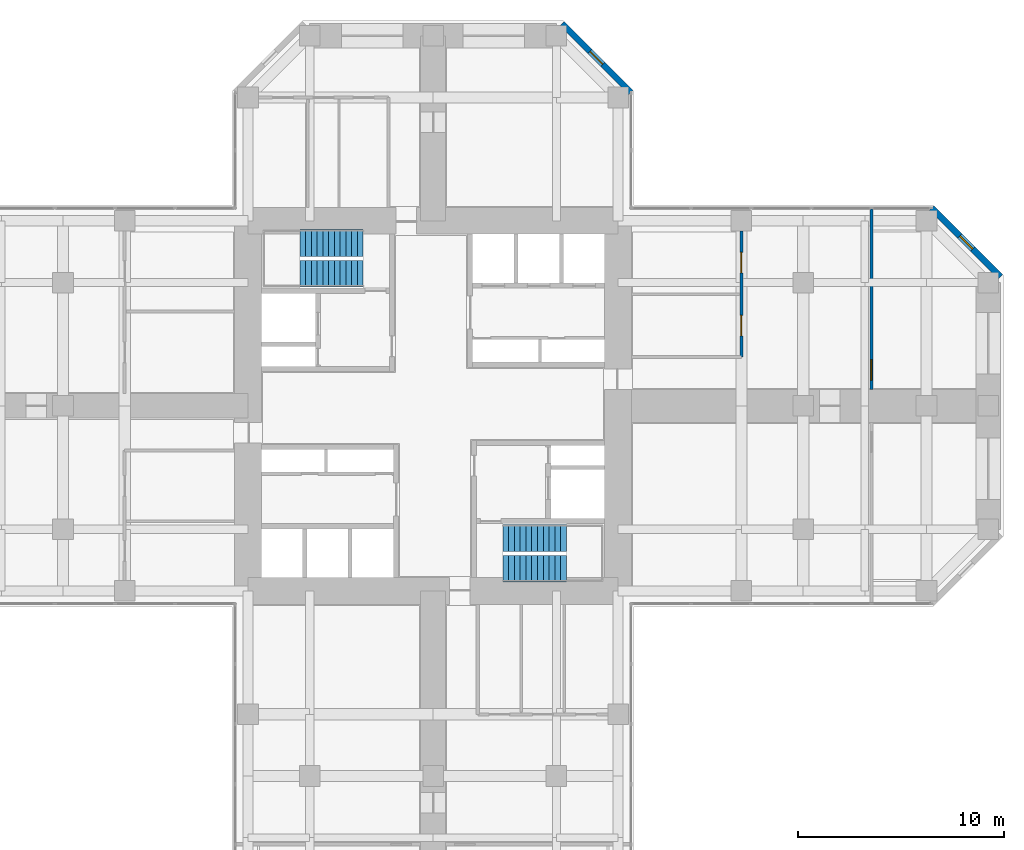
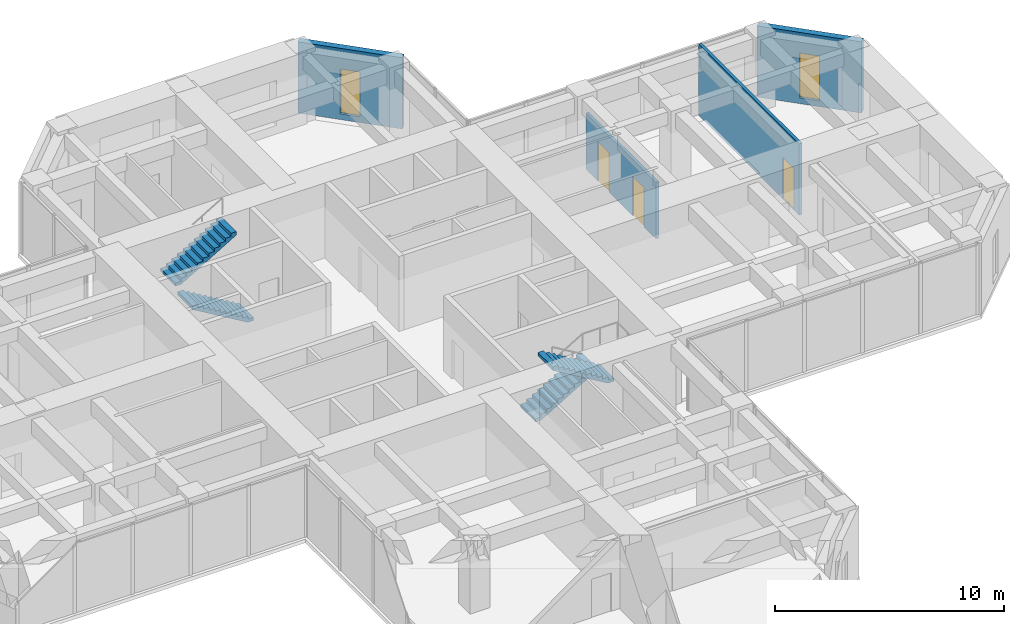
# One storey, part 11 of 12: 4 stair flights, 4 walls, 3 doors, 2 windows, 5 openings, 2 elements without a shape of their own.
"""IFC4 building model written with IfcOpenShell, lengths in metres."""

from ifc_helpers import new_model, si_unit, direction, frame, frame_2d, origin, place, context, subcontext, project, spatial, polyline, rectangle, hollow_rectangle, outline, extrude, material, layer, layer_set, constituent, constituent_set, type_object, element, fill, aggregate, save


model = new_model("IFC4")

# Units and contexts
model_context = context("Model", 3, precision=1e-05, world=origin(), true_north=direction((0.0, 1.0)))
body_context = subcontext(model_context, "Body", "Model", "MODEL_VIEW")
ifc_project = project(units=[si_unit("LENGTHUNIT", "METRE"), si_unit("AREAUNIT", "SQUARE_METRE"), si_unit("VOLUMEUNIT", "CUBIC_METRE"), si_unit("PLANEANGLEUNIT", "RADIAN"), si_unit("MASSUNIT", "GRAM", prefix="KILO")], contexts=[model_context])

# Site, building, storey
site_placement = place(None, origin())
site = spatial("IfcSite", under=ifc_project, at=site_placement, CompositionType="ELEMENT")
building_placement = place(site_placement, origin())
building = spatial("IfcBuilding", under=site, at=building_placement, Name="Torre Cruceta", CompositionType="ELEMENT")
storey_placement = place(building_placement, frame((0.0, 0.0, 148.5)))
storey = spatial("IfcBuildingStorey", under=building, at=storey_placement, Name="L36", CompositionType="ELEMENT", Elevation=148.5)

# Wall, opening, window
ifc_material_1 = material(Name="Concrete G30 (fck 30 MPa)", Category="concrete")
ifc_layer_1 = layer(ifc_material_1, 0.300048828125)
ifc_layer_set_1 = layer_set([ifc_layer_1], Name="Concrete G30 (fck 30 MPa)")
wall_type_1 = type_object("IfcWallType", Name="EXPOSED CONCRETE FACADE WALL 300", PredefinedType="SOLIDWALL", material=ifc_layer_set_1)
wall_1_placement = place(storey_placement, frame((27.60009765625, 6.27685546875, 0.0), z_axis=(0.0, 0.0, 1.0), x_axis=(-0.707106781187, 0.707106781187, 0.0)))
wall_1 = element("IfcWall", 1, at=wall_1_placement, inside=storey, type_object=wall_type_1, Name="EW1 facade wall L36 E chamfer 03", PredefinedType="SOLIDWALL", context=body_context, shape_type="SweptSolid", body=[
    extrude(rectangle(XDim=4.72802734375, YDim=0.300048828125, at=frame_2d((2.364013671875, 0.0))), origin(), (0.0, 0.0, 1.0), 3.800048828125),
])
opening_1_placement = place(wall_1_placement, frame((1.9140625, 0.0, 0.300048828125)))
opening_1 = element("IfcOpeningElement", 2, at=opening_1_placement, cuts=wall_1, Name="Opening WN5", PredefinedType="OPENING", context=body_context, shape_type="SweptSolid", body=[
    extrude(rectangle(XDim=0.89990234375, YDim=2.39990234375, at=frame_2d((0.449951171875, 1.199951171875))), frame((0.0, 0.159912109375, 0.0), z_axis=(0.0, -1.0, 0.0), x_axis=(1.0, 0.0, 0.0)), (0.0, 0.0, 1.0), 0.320068359375),
])
ifc_material_2 = material(Name="Aluminium window frame", Category="aluminium")
ifc_constituent_1 = constituent(ifc_material_2, Name="Frame")
ifc_material_3 = material(Name="Laminated insulating glass unit, low-iron clear", Category="glass")
ifc_constituent_2 = constituent(ifc_material_3, Name="Glazing")
ifc_constituent_set_1 = constituent_set(constituents=[ifc_constituent_1, ifc_constituent_2], Name="Aluminium window")
window_type = type_object("IfcWindowType", Name="CHAMFER SLOT WINDOW 900X2400", PartitioningType="SINGLE_PANEL", PredefinedType="WINDOW", material=ifc_constituent_set_1)
window_1_placement = place(opening_1_placement, origin())
window_1 = element("IfcWindow", 3, at=window_1_placement, inside=storey, type_object=window_type, Name="WN5 L36 E 1", OverallHeight=2.39990234375, OverallWidth=0.89990234375, PartitioningType="SINGLE_PANEL", PredefinedType="WINDOW", context=body_context, shape_type="SweptSolid", body=[
    extrude(hollow_rectangle(XDim=0.89990234375, YDim=2.39990234375, WallThickness=0.06005859375, at=frame_2d((0.449951171875, 1.199951171875))), frame((0.0, 0.030029296875, 0.0), z_axis=(0.0, -1.0, 0.0), x_axis=(1.0, 0.0, 0.0)), (0.0, 0.0, 1.0), 0.06005859375),
    extrude(rectangle(XDim=0.77880859375, YDim=2.27880859375, at=frame_2d((0.449951171875, 1.199951171875))), frame((0.0, 0.030029296875, 0.0), z_axis=(0.0, -1.0, 0.0), x_axis=(1.0, 0.0, 0.0)), (0.0, 0.0, 1.0), 0.06005859375),
])
fill(opening_1, window_1)

wall_2_placement = place(storey_placement, frame((9.6201171875, 15.2568359375, 0.0), z_axis=(0.0, 0.0, 1.0), x_axis=(-0.707106781187, 0.707106781187, 0.0)))
wall_2 = element("IfcWall", 4, at=wall_2_placement, inside=storey, type_object=wall_type_1, Name="EW1 facade wall L36 N chamfer 06", PredefinedType="SOLIDWALL", context=body_context, shape_type="SweptSolid", body=[
    extrude(rectangle(XDim=4.72802734375, YDim=0.300048828125, at=frame_2d((2.364013671875, 0.0))), origin(), (0.0, 0.0, 1.0), 3.800048828125),
])
opening_2_placement = place(wall_2_placement, frame((1.9140625, 0.0, 0.300048828125)))
opening_2 = element("IfcOpeningElement", 5, at=opening_2_placement, cuts=wall_2, Name="Opening WN5", PredefinedType="OPENING", context=body_context, shape_type="SweptSolid", body=[
    extrude(rectangle(XDim=0.89990234375, YDim=2.39990234375, at=frame_2d((0.449951171875, 1.199951171875))), frame((0.0, 0.159912109375, 0.0), z_axis=(0.0, -1.0, 0.0), x_axis=(1.0, 0.0, 0.0)), (0.0, 0.0, 1.0), 0.320068359375),
])
window_2_placement = place(opening_2_placement, origin())
window_2 = element("IfcWindow", 6, at=window_2_placement, inside=storey, type_object=window_type, Name="WN5 L36 N 1", OverallHeight=2.39990234375, OverallWidth=0.89990234375, PartitioningType="SINGLE_PANEL", PredefinedType="WINDOW", context=body_context, shape_type="SweptSolid", body=[
    extrude(hollow_rectangle(XDim=0.89990234375, YDim=2.39990234375, WallThickness=0.06005859375, at=frame_2d((0.449951171875, 1.199951171875))), frame((0.0, 0.030029296875, 0.0), z_axis=(0.0, -1.0, 0.0), x_axis=(1.0, 0.0, 0.0)), (0.0, 0.0, 1.0), 0.06005859375),
    extrude(rectangle(XDim=0.77880859375, YDim=2.27880859375, at=frame_2d((0.449951171875, 1.199951171875))), frame((0.0, 0.030029296875, 0.0), z_axis=(0.0, -1.0, 0.0), x_axis=(1.0, 0.0, 0.0)), (0.0, 0.0, 1.0), 0.06005859375),
])
fill(opening_2, window_2)

# Wall, openings, doors
ifc_material_4 = material(Name="Plasterboard on steel studs", Category="steel")
ifc_layer_2 = layer(ifc_material_4, 0.14990234375)
ifc_layer_set_2 = layer_set([ifc_layer_2], Name="Plasterboard on steel studs")
wall_type_2 = type_object("IfcWallType", Name="PARTITION 150", PredefinedType="PARTITIONING", material=ifc_layer_set_2)
wall_3_placement = place(storey_placement, frame((15.0, 2.375, 0.0), z_axis=(0.0, 0.0, 1.0), x_axis=(0.0, 1.0, 0.0)))
wall_3 = element("IfcWall", 7, at=wall_3_placement, inside=storey, type_object=wall_type_2, Name="PT1 L36-E-BFL", PredefinedType="PARTITIONING", context=body_context, shape_type="SweptSolid", body=[
    extrude(rectangle(XDim=6.125, YDim=0.14990234375, at=frame_2d((3.0625, 0.0))), origin(), (0.0, 0.0, 1.0), 3.0),
])
opening_3_placement = place(wall_3_placement, frame((1.03125, 0.0, 0.0)))
opening_3 = element("IfcOpeningElement", 8, at=opening_3_placement, cuts=wall_3, Name="Opening D3", PredefinedType="OPENING", context=body_context, shape_type="SweptSolid", body=[
    extrude(rectangle(XDim=1.0, YDim=2.10009765625, at=frame_2d((0.5, 1.050048828125))), frame((0.0, 0.0849609375, 0.0), z_axis=(0.0, -1.0, 0.0), x_axis=(1.0, 0.0, 0.0)), (0.0, 0.0, 1.0), 0.169921875),
])
opening_4_placement = place(wall_3_placement, frame((4.09375, 0.0, 0.0)))
opening_4 = element("IfcOpeningElement", 9, at=opening_4_placement, cuts=wall_3, Name="Opening D3", PredefinedType="OPENING", context=body_context, shape_type="SweptSolid", body=[
    extrude(rectangle(XDim=1.0, YDim=2.10009765625, at=frame_2d((0.5, 1.050048828125))), frame((0.0, 0.0849609375, 0.0), z_axis=(0.0, -1.0, 0.0), x_axis=(1.0, 0.0, 0.0)), (0.0, 0.0, 1.0), 0.169921875),
])
ifc_material_5 = material(Name="Steel DX51D", Category="steel")
ifc_constituent_3 = constituent(ifc_material_5, Name="Leaf and frame")
ifc_material_6 = material(Name="Polyester powder coating", Category="paint")
ifc_constituent_4 = constituent(ifc_material_6, Name="Finish")
ifc_constituent_set_2 = constituent_set(constituents=[ifc_constituent_3, ifc_constituent_4], Name="Steel fire door")
door_type_1 = type_object("IfcDoorType", Name="FIRE DOOR 1000X2100", OperationType="SINGLE_SWING_LEFT", PredefinedType="DOOR", material=ifc_constituent_set_2)
door_1_placement = place(opening_3_placement, origin())
door_1 = element("IfcDoor", 10, at=door_1_placement, inside=storey, type_object=door_type_1, Name="D3 L36-E-BFL-D1", OperationType="SINGLE_SWING_LEFT", OverallHeight=2.10009765625, OverallWidth=1.0, PredefinedType="DOOR", context=body_context, shape_type="SweptSolid", body=[
    extrude(rectangle(XDim=1.0, YDim=2.10009765625, at=frame_2d((0.5, 1.050048828125))), frame((0.0, 0.02490234375, 0.0), z_axis=(0.0, -1.0, 0.0), x_axis=(1.0, 0.0, 0.0)), (0.0, 0.0, 1.0), 0.050048828125),
])
fill(opening_3, door_1)
door_2_placement = place(opening_4_placement, origin())
door_2 = element("IfcDoor", 11, at=door_2_placement, inside=storey, type_object=door_type_1, Name="D3 L36-E-BFL-D2", OperationType="SINGLE_SWING_LEFT", OverallHeight=2.10009765625, OverallWidth=1.0, PredefinedType="DOOR", context=body_context, shape_type="SweptSolid", body=[
    extrude(rectangle(XDim=1.0, YDim=2.10009765625, at=frame_2d((0.5, 1.050048828125))), frame((0.0, 0.02490234375, 0.0), z_axis=(0.0, -1.0, 0.0), x_axis=(1.0, 0.0, 0.0)), (0.0, 0.0, 1.0), 0.050048828125),
])
fill(opening_4, door_2)

# Wall, opening, door
wall_4_placement = place(storey_placement, frame((21.320068359375, 0.800048828125, 0.0), z_axis=(0.0, 0.0, 1.0), x_axis=(0.0, 1.0, 0.0)))
wall_4 = element("IfcWall", 12, at=wall_4_placement, inside=storey, type_object=wall_type_2, Name="PT1 L36-E-TWL", PredefinedType="PARTITIONING", context=body_context, shape_type="SweptSolid", body=[
    extrude(rectangle(XDim=8.780029296875, YDim=0.14990234375, at=frame_2d((4.39013671875, 0.0))), origin(), (0.0, 0.0, 1.0), 3.800048828125),
])
opening_5_placement = place(wall_4_placement, frame((0.449951171875, 0.0, 0.0)))
opening_5 = element("IfcOpeningElement", 13, at=opening_5_placement, cuts=wall_4, Name="Opening D14", PredefinedType="OPENING", context=body_context, shape_type="SweptSolid", body=[
    extrude(rectangle(XDim=1.0, YDim=2.199951171875, at=frame_2d((0.5, 1.10009765625))), frame((0.0, 0.0849609375, 0.0), z_axis=(0.0, -1.0, 0.0), x_axis=(1.0, 0.0, 0.0)), (0.0, 0.0, 1.0), 0.169921875),
])
ifc_material_7 = material(Name="Steel DX51D", Category="steel")
ifc_constituent_5 = constituent(ifc_material_7, Name="Leaf and frame")
ifc_material_8 = material(Name="Polyester powder coating", Category="paint")
ifc_constituent_6 = constituent(ifc_material_8, Name="Finish")
ifc_material_9 = material(Name="Fire-resisting glass", Category="glass")
ifc_constituent_7 = constituent(ifc_material_9, Name="Vision panel")
ifc_constituent_set_3 = constituent_set(constituents=[ifc_constituent_5, ifc_constituent_6, ifc_constituent_7], Name="Steel fire door with vision panel")
door_type_2 = type_object("IfcDoorType", Name="FIRE DOOR VISION PANEL 1000X2200", OperationType="SINGLE_SWING_RIGHT", PredefinedType="DOOR", material=ifc_constituent_set_3)
door_3_placement = place(opening_5_placement, frame((1.0, 0.0, 0.0), z_axis=(0.0, 0.0, 1.0), x_axis=(-1.0, 0.0, 0.0)))
door_3 = element("IfcDoor", 14, at=door_3_placement, inside=storey, type_object=door_type_2, Name="D14 L36-E-TWL-D1", OperationType="SINGLE_SWING_RIGHT", OverallHeight=2.199951171875, OverallWidth=1.0, PredefinedType="DOOR", context=body_context, shape_type="SweptSolid", body=[
    extrude(rectangle(XDim=1.0, YDim=2.199951171875, at=frame_2d((0.5, 1.10009765625))), frame((0.0, 0.025146484375, 0.0), z_axis=(0.0, -1.0, 0.0), x_axis=(1.0, 0.0, 0.0)), (0.0, 0.0, 1.0), 0.050048828125),
])
fill(opening_5, door_3)

# Stair, stair flights
ifc_material_10 = material(Name="Concrete G30 (fck 30 MPa)", Category="concrete")
stair_type = type_object("IfcStairType", Name="STAIR HALF-TURN 1300", PredefinedType="HALF_TURN_STAIR", material=ifc_material_10)
stair_1_placement = place(storey_placement, origin())
stair_1 = element("IfcStair", 15, at=stair_1_placement, inside=storey, type_object=stair_type, Name="Stair ST1 L36", PredefinedType="HALF_TURN_STAIR")
ifc_material_11 = material(Name="Concrete G30 (fck 30 MPa)", Category="concrete")
stair_flight_type = type_object("IfcStairFlightType", Name="STAIR FLIGHT 1300", PredefinedType="STRAIGHT", material=ifc_material_11)
stair_flight_1_placement = place(storey_placement, frame((-3.39990234375, 6.425048828125, 0.0), z_axis=(0.0, 0.0, 1.0), x_axis=(-1.0, 0.0, 0.0)))
stair_flight_1 = element("IfcStairFlight", 16, at=stair_flight_1_placement, type_object=stair_flight_type, Name="ST1 flight 1", NumberOfRisers=12, NumberOfTreads=11, PredefinedType="STRAIGHT", RiserHeight=0.166666667, TreadLength=0.28, context=body_context, shape_type="SweptSolid", body=[
    extrude(outline(polyline([(0.0, 0.0), (0.0, 0.166748046875), (0.280029296875, 0.166748046875), (0.280029296875, 0.333251953125), (0.56005859375, 0.333251953125), (0.56005859375, 0.5), (0.840087890625, 0.5), (0.840087890625, 0.666748046875), (1.1201171875, 0.666748046875), (1.1201171875, 0.833251953125), (1.39990234375, 0.833251953125), (1.39990234375, 1.0), (1.679931640625, 1.0), (1.679931640625, 1.166748046875), (1.9599609375, 1.166748046875), (1.9599609375, 1.333251953125), (2.239990234375, 1.333251953125), (2.239990234375, 1.5), (2.52001953125, 1.5), (2.52001953125, 1.666748046875), (2.800048828125, 1.666748046875), (2.800048828125, 1.833251953125), (3.080078125, 1.833251953125), (3.080078125, 2.0), (3.080078125, 1.658935546875), (0.29296875, 0.0), (0.0, 0.0)])), frame((0.0, 0.64990234375, 0.0), z_axis=(0.0, -1.0, 0.0), x_axis=(1.0, 0.0, 0.0)), (0.0, 0.0, 1.0), 1.300048828125),
])
stair_flight_2_placement = place(storey_placement, frame((-6.47998046875, 7.925048828125, 2.0), z_axis=(0.0, 0.0, 1.0), x_axis=(1.0, 0.0, 0.0)))
stair_flight_2 = element("IfcStairFlight", 17, at=stair_flight_2_placement, type_object=stair_flight_type, Name="ST1 flight 2", NumberOfRisers=12, NumberOfTreads=11, PredefinedType="STRAIGHT", RiserHeight=0.166666667, TreadLength=0.28, context=body_context, shape_type="SweptSolid", body=[
    extrude(outline(polyline([(0.0, 0.0), (0.0, 0.166748046875), (0.280029296875, 0.166748046875), (0.280029296875, 0.333251953125), (0.56005859375, 0.333251953125), (0.56005859375, 0.5), (0.840087890625, 0.5), (0.840087890625, 0.666748046875), (1.1201171875, 0.666748046875), (1.1201171875, 0.833251953125), (1.39990234375, 0.833251953125), (1.39990234375, 1.0), (1.679931640625, 1.0), (1.679931640625, 1.166748046875), (1.9599609375, 1.166748046875), (1.9599609375, 1.333251953125), (2.239990234375, 1.333251953125), (2.239990234375, 1.5), (2.52001953125, 1.5), (2.52001953125, 1.666748046875), (2.800048828125, 1.666748046875), (2.800048828125, 1.833251953125), (3.080078125, 1.833251953125), (3.080078125, 2.0), (3.080078125, 1.658935546875), (0.29296875, 0.0), (0.0, 0.0)])), frame((0.0, 0.64990234375, 0.0), z_axis=(0.0, -1.0, 0.0), x_axis=(1.0, 0.0, 0.0)), (0.0, 0.0, 1.0), 1.300048828125),
])
aggregate(stair_1, [stair_flight_1, stair_flight_2])

stair_2_placement = place(storey_placement, origin())
stair_2 = element("IfcStair", 18, at=stair_2_placement, inside=storey, type_object=stair_type, Name="Stair ST2 L36", PredefinedType="HALF_TURN_STAIR")
stair_flight_3_placement = place(storey_placement, frame((3.39990234375, -6.425048828125, 0.0), z_axis=(0.0, 0.0, 1.0), x_axis=(1.0, 0.0, 0.0)))
stair_flight_3 = element("IfcStairFlight", 19, at=stair_flight_3_placement, type_object=stair_flight_type, Name="ST2 flight 1", NumberOfRisers=12, NumberOfTreads=11, PredefinedType="STRAIGHT", RiserHeight=0.166666667, TreadLength=0.28, context=body_context, shape_type="SweptSolid", body=[
    extrude(outline(polyline([(0.0, 0.0), (0.0, 0.166748046875), (0.280029296875, 0.166748046875), (0.280029296875, 0.333251953125), (0.56005859375, 0.333251953125), (0.56005859375, 0.5), (0.840087890625, 0.5), (0.840087890625, 0.666748046875), (1.1201171875, 0.666748046875), (1.1201171875, 0.833251953125), (1.39990234375, 0.833251953125), (1.39990234375, 1.0), (1.679931640625, 1.0), (1.679931640625, 1.166748046875), (1.9599609375, 1.166748046875), (1.9599609375, 1.333251953125), (2.239990234375, 1.333251953125), (2.239990234375, 1.5), (2.52001953125, 1.5), (2.52001953125, 1.666748046875), (2.800048828125, 1.666748046875), (2.800048828125, 1.833251953125), (3.080078125, 1.833251953125), (3.080078125, 2.0), (3.080078125, 1.658935546875), (0.29296875, 0.0), (0.0, 0.0)])), frame((0.0, 0.64990234375, 0.0), z_axis=(0.0, -1.0, 0.0), x_axis=(1.0, 0.0, 0.0)), (0.0, 0.0, 1.0), 1.300048828125),
])
stair_flight_4_placement = place(storey_placement, frame((6.47998046875, -7.925048828125, 2.0), z_axis=(0.0, 0.0, 1.0), x_axis=(-1.0, 0.0, 0.0)))
stair_flight_4 = element("IfcStairFlight", 20, at=stair_flight_4_placement, type_object=stair_flight_type, Name="ST2 flight 2", NumberOfRisers=12, NumberOfTreads=11, PredefinedType="STRAIGHT", RiserHeight=0.166666667, TreadLength=0.28, context=body_context, shape_type="SweptSolid", body=[
    extrude(outline(polyline([(0.0, 0.0), (0.0, 0.166748046875), (0.280029296875, 0.166748046875), (0.280029296875, 0.333251953125), (0.56005859375, 0.333251953125), (0.56005859375, 0.5), (0.840087890625, 0.5), (0.840087890625, 0.666748046875), (1.1201171875, 0.666748046875), (1.1201171875, 0.833251953125), (1.39990234375, 0.833251953125), (1.39990234375, 1.0), (1.679931640625, 1.0), (1.679931640625, 1.166748046875), (1.9599609375, 1.166748046875), (1.9599609375, 1.333251953125), (2.239990234375, 1.333251953125), (2.239990234375, 1.5), (2.52001953125, 1.5), (2.52001953125, 1.666748046875), (2.800048828125, 1.666748046875), (2.800048828125, 1.833251953125), (3.080078125, 1.833251953125), (3.080078125, 2.0), (3.080078125, 1.658935546875), (0.29296875, 0.0), (0.0, 0.0)])), frame((0.0, 0.64990234375, 0.0), z_axis=(0.0, -1.0, 0.0), x_axis=(1.0, 0.0, 0.0)), (0.0, 0.0, 1.0), 1.300048828125),
])
aggregate(stair_2, [stair_flight_3, stair_flight_4])

save(model, "model.ifc")
